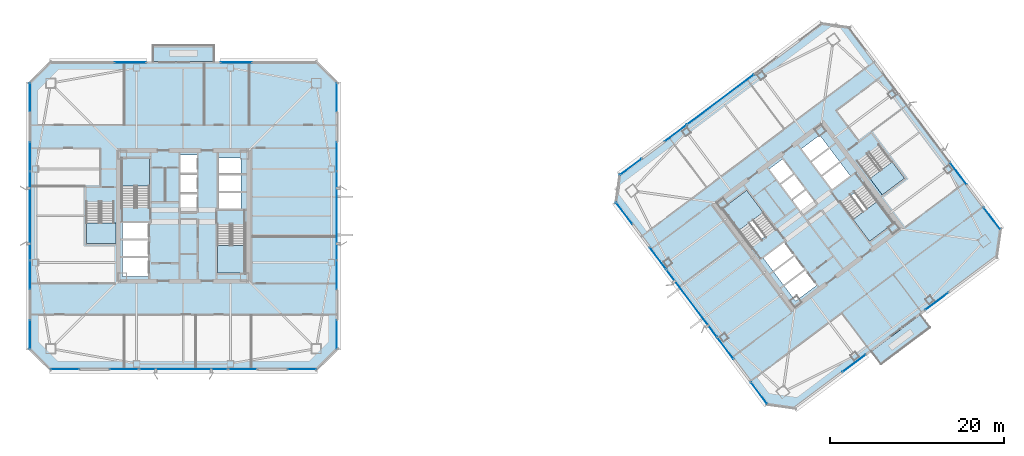
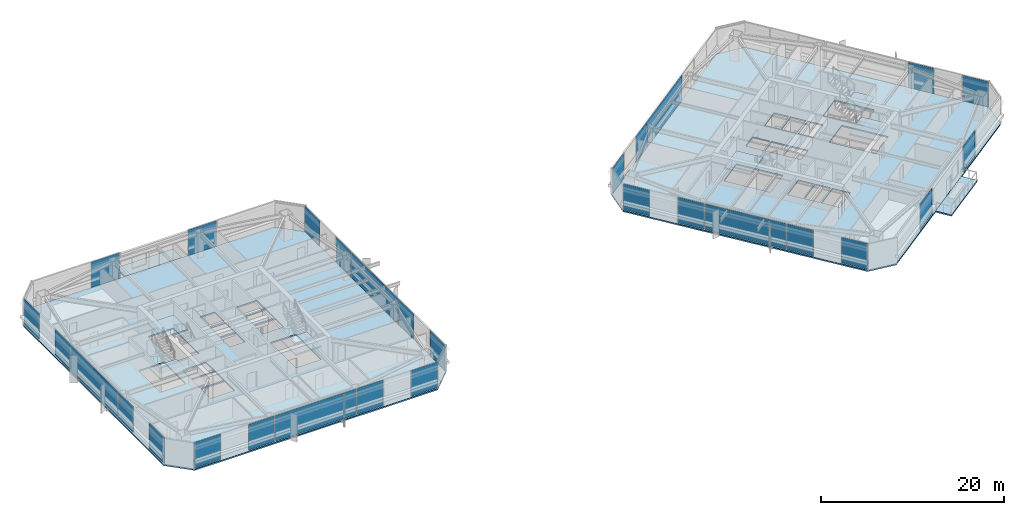
# One storey, part 34 of 46: 29 plates, 10 slabs, 35 elements without a shape of their own.
"""IFC4 building model written with IfcOpenShell, lengths in metres."""

from ifc_helpers import new_model, si_unit, direction, frame, origin, origin_2d, place, context, subcontext, project, spatial, polyline, rectangle, outline, extrude, material, layer, layer_set, type_object, element, aggregate, save


model = new_model("IFC4")

# Units and contexts
model_context = context("Model", 3, precision=1e-05, world=origin(), true_north=direction((0.0, 1.0)))
body_context = subcontext(model_context, "Body", "Model", "MODEL_VIEW")
ifc_project = project(units=[si_unit("LENGTHUNIT", "METRE"), si_unit("AREAUNIT", "SQUARE_METRE"), si_unit("VOLUMEUNIT", "CUBIC_METRE"), si_unit("PLANEANGLEUNIT", "RADIAN"), si_unit("MASSUNIT", "GRAM", prefix="KILO")], contexts=[model_context])

# Site, building, storey
site_placement = place(None, origin())
site = spatial("IfcSite", under=ifc_project, at=site_placement, CompositionType="ELEMENT")
building_placement = place(site_placement, origin())
building = spatial("IfcBuilding", under=site, at=building_placement, Name="Tashvorn Skyway Center", CompositionType="ELEMENT")
storey_placement = place(building_placement, frame((0.0, 0.0, 167.64990234375)))
storey = spatial("IfcBuildingStorey", under=building, at=storey_placement, Name="L45", CompositionType="ELEMENT", Elevation=167.64990234375)

# Curtain wall, plate
ifc_material_1 = material(Name="Thermally broken bronze-anodized aluminium 6063-T6", Category="aluminium")
curtain_wall_type = type_object("IfcCurtainWallType", Name="CW-CW-Z4", PredefinedType="NOTDEFINED", material=ifc_material_1)
curtain_wall_1_placement = place(storey_placement, origin())
curtain_wall_1 = element("IfcCurtainWall", 1, at=curtain_wall_1_placement, inside=storey, type_object=curtain_wall_type, Name="Tower 1 L45 South Unitised Curtain Wall Glazing Group 1", PredefinedType="NOTDEFINED")
ifc_material_2 = material(Name="Low-E solar-control double insulating safety glass", Category="glass")
ifc_layer_1 = layer(ifc_material_2, 0.035888671875)
ifc_layer_set_1 = layer_set([ifc_layer_1], Name="Low-E solar-control double insulating safety glass")
plate_type = type_object("IfcPlateType", Name="CWP-CW-Z4", PredefinedType="CURTAIN_PANEL", material=ifc_layer_set_1)
plate_1_placement = place(storey_placement, frame((55.671142578125, 14.320068359375, 0.0703125), z_axis=(0.0, 0.0, 1.0), x_axis=(-1.0, 0.0, 0.0)))
plate_1 = element("IfcPlate", 2, at=plate_1_placement, type_object=plate_type, Name="CW-Z4 panel 1.1", PredefinedType="CURTAIN_PANEL", context=body_context, shape_type="SweptSolid", body=[
    extrude(rectangle(XDim=3.27783203125, YDim=0.035888671875, at=origin_2d()), origin(), (0.0, 0.0, 1.0), 3.409912109375),
])
aggregate(curtain_wall_1, [plate_1])

curtain_wall_2_placement = place(storey_placement, origin())
curtain_wall_2 = element("IfcCurtainWall", 3, at=curtain_wall_2_placement, inside=storey, type_object=curtain_wall_type, Name="Tower 1 L45 South Unitised Curtain Wall Glazing Group 2", PredefinedType="NOTDEFINED")
plate_2_placement = place(storey_placement, frame((48.83544921875, 14.320068359375, 0.0703125), z_axis=(0.0, 0.0, 1.0), x_axis=(-1.0, 0.0, 0.0)))
plate_2 = element("IfcPlate", 4, at=plate_2_placement, type_object=plate_type, Name="CW-Z4 panel 1.1", PredefinedType="CURTAIN_PANEL", context=body_context, shape_type="SweptSolid", body=[
    extrude(rectangle(XDim=3.277587890625, YDim=0.035888671875, at=origin_2d()), origin(), (0.0, 0.0, 1.0), 3.409912109375),
])
aggregate(curtain_wall_2, [plate_2])

curtain_wall_3_placement = place(storey_placement, origin())
curtain_wall_3 = element("IfcCurtainWall", 5, at=curtain_wall_3_placement, inside=storey, type_object=curtain_wall_type, Name="Tower 1 L45 South Unitised Curtain Wall Glazing Group 3", PredefinedType="NOTDEFINED")
plate_3_placement = place(storey_placement, frame((42.0, 14.320068359375, 0.0703125), z_axis=(0.0, 0.0, 1.0), x_axis=(-1.0, 0.0, 0.0)))
plate_3 = element("IfcPlate", 6, at=plate_3_placement, type_object=plate_type, Name="CW-Z4 panel 1.1", PredefinedType="CURTAIN_PANEL", context=body_context, shape_type="SweptSolid", body=[
    extrude(rectangle(XDim=10.11328125, YDim=0.035888671875, at=origin_2d()), origin(), (0.0, 0.0, 1.0), 3.409912109375),
])
aggregate(curtain_wall_3, [plate_3])

curtain_wall_4_placement = place(storey_placement, origin())
curtain_wall_4 = element("IfcCurtainWall", 7, at=curtain_wall_4_placement, inside=storey, type_object=curtain_wall_type, Name="Tower 1 L45 South Unitised Curtain Wall Glazing Group 4", PredefinedType="NOTDEFINED")
plate_4_placement = place(storey_placement, frame((35.16455078125, 14.320068359375, 0.0703125), z_axis=(0.0, 0.0, 1.0), x_axis=(-1.0, 0.0, 0.0)))
plate_4 = element("IfcPlate", 8, at=plate_4_placement, type_object=plate_type, Name="CW-Z4 panel 1.1", PredefinedType="CURTAIN_PANEL", context=body_context, shape_type="SweptSolid", body=[
    extrude(rectangle(XDim=3.277587890625, YDim=0.035888671875, at=origin_2d()), origin(), (0.0, 0.0, 1.0), 3.409912109375),
])
aggregate(curtain_wall_4, [plate_4])

curtain_wall_5_placement = place(storey_placement, origin())
curtain_wall_5 = element("IfcCurtainWall", 9, at=curtain_wall_5_placement, inside=storey, type_object=curtain_wall_type, Name="Tower 1 L45 South Unitised Curtain Wall Glazing Group 5", PredefinedType="NOTDEFINED")
plate_5_placement = place(storey_placement, frame((28.328857421875, 14.320068359375, 0.0703125), z_axis=(0.0, 0.0, 1.0), x_axis=(-1.0, 0.0, 0.0)))
plate_5 = element("IfcPlate", 10, at=plate_5_placement, type_object=plate_type, Name="CW-Z4 panel 1.1", PredefinedType="CURTAIN_PANEL", context=body_context, shape_type="SweptSolid", body=[
    extrude(rectangle(XDim=3.27783203125, YDim=0.035888671875, at=origin_2d()), origin(), (0.0, 0.0, 1.0), 3.409912109375),
])
aggregate(curtain_wall_5, [plate_5])

curtain_wall_6_placement = place(storey_placement, origin())
curtain_wall_6 = element("IfcCurtainWall", 11, at=curtain_wall_6_placement, inside=storey, type_object=curtain_wall_type, Name="Tower 1 L45 West Unitised Curtain Wall Glazing Group 1", PredefinedType="NOTDEFINED")
plate_6_placement = place(storey_placement, frame((24.320068359375, 18.328857421875, 0.0703125), z_axis=(0.0, 0.0, 1.0), x_axis=(0.0, 1.0, 0.0)))
plate_6 = element("IfcPlate", 12, at=plate_6_placement, type_object=plate_type, Name="CW-Z4 panel 1.1", PredefinedType="CURTAIN_PANEL", context=body_context, shape_type="SweptSolid", body=[
    extrude(rectangle(XDim=3.27783203125, YDim=0.035888671875, at=origin_2d()), origin(), (0.0, 0.0, 1.0), 3.409912109375),
])
aggregate(curtain_wall_6, [plate_6])

curtain_wall_7_placement = place(storey_placement, origin())
curtain_wall_7 = element("IfcCurtainWall", 13, at=curtain_wall_7_placement, inside=storey, type_object=curtain_wall_type, Name="Tower 1 L45 West Unitised Curtain Wall Glazing Group 2", PredefinedType="NOTDEFINED")
plate_7_placement = place(storey_placement, frame((24.320068359375, 25.16455078125, 0.0703125), z_axis=(0.0, 0.0, 1.0), x_axis=(0.0, 1.0, 0.0)))
plate_7 = element("IfcPlate", 14, at=plate_7_placement, type_object=plate_type, Name="CW-Z4 panel 1.1", PredefinedType="CURTAIN_PANEL", context=body_context, shape_type="SweptSolid", body=[
    extrude(rectangle(XDim=3.277587890625, YDim=0.035888671875, at=origin_2d()), origin(), (0.0, 0.0, 1.0), 3.409912109375),
])
aggregate(curtain_wall_7, [plate_7])

curtain_wall_8_placement = place(storey_placement, origin())
curtain_wall_8 = element("IfcCurtainWall", 15, at=curtain_wall_8_placement, inside=storey, type_object=curtain_wall_type, Name="Tower 1 L45 West Unitised Curtain Wall Glazing Group 3", PredefinedType="NOTDEFINED")
plate_8_placement = place(storey_placement, frame((24.320068359375, 32.0, 0.0703125), z_axis=(0.0, 0.0, 1.0), x_axis=(0.0, 1.0, 0.0)))
plate_8 = element("IfcPlate", 16, at=plate_8_placement, type_object=plate_type, Name="CW-Z4 panel 1.1", PredefinedType="CURTAIN_PANEL", context=body_context, shape_type="SweptSolid", body=[
    extrude(rectangle(XDim=10.11328125, YDim=0.035888671875, at=origin_2d()), origin(), (0.0, 0.0, 1.0), 3.409912109375),
])
aggregate(curtain_wall_8, [plate_8])

curtain_wall_9_placement = place(storey_placement, origin())
curtain_wall_9 = element("IfcCurtainWall", 17, at=curtain_wall_9_placement, inside=storey, type_object=curtain_wall_type, Name="Tower 1 L45 West Unitised Curtain Wall Glazing Group 4", PredefinedType="NOTDEFINED")
plate_9_placement = place(storey_placement, frame((24.320068359375, 38.83544921875, 0.0703125), z_axis=(0.0, 0.0, 1.0), x_axis=(0.0, 1.0, 0.0)))
plate_9 = element("IfcPlate", 18, at=plate_9_placement, type_object=plate_type, Name="CW-Z4 panel 1.1", PredefinedType="CURTAIN_PANEL", context=body_context, shape_type="SweptSolid", body=[
    extrude(rectangle(XDim=3.277587890625, YDim=0.035888671875, at=origin_2d()), origin(), (0.0, 0.0, 1.0), 3.409912109375),
])
aggregate(curtain_wall_9, [plate_9])

curtain_wall_10_placement = place(storey_placement, origin())
curtain_wall_10 = element("IfcCurtainWall", 19, at=curtain_wall_10_placement, inside=storey, type_object=curtain_wall_type, Name="Tower 1 L45 West Unitised Curtain Wall Glazing Group 5", PredefinedType="NOTDEFINED")
plate_10_placement = place(storey_placement, frame((24.320068359375, 45.671142578125, 0.0703125), z_axis=(0.0, 0.0, 1.0), x_axis=(0.0, 1.0, 0.0)))
plate_10 = element("IfcPlate", 20, at=plate_10_placement, type_object=plate_type, Name="CW-Z4 panel 1.1", PredefinedType="CURTAIN_PANEL", context=body_context, shape_type="SweptSolid", body=[
    extrude(rectangle(XDim=3.27783203125, YDim=0.035888671875, at=origin_2d()), origin(), (0.0, 0.0, 1.0), 3.409912109375),
])
aggregate(curtain_wall_10, [plate_10])

curtain_wall_11_placement = place(storey_placement, origin())
curtain_wall_11 = element("IfcCurtainWall", 21, at=curtain_wall_11_placement, inside=storey, type_object=curtain_wall_type, Name="Tower 1 L45 North Curtain Wall L Glazing Group 1", PredefinedType="NOTDEFINED")
plate_11_placement = place(storey_placement, frame((35.89501953125, 49.679931640625, 0.0703125), z_axis=(0.0, 0.0, 1.0), x_axis=(1.0, 0.0, 0.0)))
plate_11 = element("IfcPlate", 22, at=plate_11_placement, type_object=plate_type, Name="CW-Z4 panel 1.1", PredefinedType="CURTAIN_PANEL", context=body_context, shape_type="SweptSolid", body=[
    extrude(rectangle(XDim=3.570068359375, YDim=0.035888671875, at=origin_2d()), origin(), (0.0, 0.0, 1.0), 3.409912109375),
])
aggregate(curtain_wall_11, [plate_11])

curtain_wall_12_placement = place(storey_placement, origin())
curtain_wall_12 = element("IfcCurtainWall", 23, at=curtain_wall_12_placement, inside=storey, type_object=curtain_wall_type, Name="Tower 1 L45 North Curtain Wall R Glazing Group 1", PredefinedType="NOTDEFINED")
plate_12_placement = place(storey_placement, frame((48.10498046875, 49.679931640625, 0.0703125), z_axis=(0.0, 0.0, 1.0), x_axis=(1.0, 0.0, 0.0)))
plate_12 = element("IfcPlate", 24, at=plate_12_placement, type_object=plate_type, Name="CW-Z4 panel 1.1", PredefinedType="CURTAIN_PANEL", context=body_context, shape_type="SweptSolid", body=[
    extrude(rectangle(XDim=3.570068359375, YDim=0.035888671875, at=origin_2d()), origin(), (0.0, 0.0, 1.0), 3.409912109375),
])
aggregate(curtain_wall_12, [plate_12])

curtain_wall_13_placement = place(storey_placement, origin())
curtain_wall_13 = element("IfcCurtainWall", 25, at=curtain_wall_13_placement, inside=storey, type_object=curtain_wall_type, Name="Tower 1 L45 East Unitised Curtain Wall Glazing Group 1", PredefinedType="NOTDEFINED")
plate_13_placement = place(storey_placement, frame((59.679931640625, 45.671142578125, 0.0703125), z_axis=(0.0, 0.0, 1.0), x_axis=(0.0, -1.0, 0.0)))
plate_13 = element("IfcPlate", 26, at=plate_13_placement, type_object=plate_type, Name="CW-Z4 panel 1.1", PredefinedType="CURTAIN_PANEL", context=body_context, shape_type="SweptSolid", body=[
    extrude(rectangle(XDim=3.27783203125, YDim=0.035888671875, at=origin_2d()), origin(), (0.0, 0.0, 1.0), 3.409912109375),
])
aggregate(curtain_wall_13, [plate_13])

curtain_wall_14_placement = place(storey_placement, origin())
curtain_wall_14 = element("IfcCurtainWall", 27, at=curtain_wall_14_placement, inside=storey, type_object=curtain_wall_type, Name="Tower 1 L45 East Unitised Curtain Wall Glazing Group 2", PredefinedType="NOTDEFINED")
plate_14_placement = place(storey_placement, frame((59.679931640625, 38.83544921875, 0.0703125), z_axis=(0.0, 0.0, 1.0), x_axis=(0.0, -1.0, 0.0)))
plate_14 = element("IfcPlate", 28, at=plate_14_placement, type_object=plate_type, Name="CW-Z4 panel 1.1", PredefinedType="CURTAIN_PANEL", context=body_context, shape_type="SweptSolid", body=[
    extrude(rectangle(XDim=3.277587890625, YDim=0.035888671875, at=origin_2d()), origin(), (0.0, 0.0, 1.0), 3.409912109375),
])
aggregate(curtain_wall_14, [plate_14])

curtain_wall_15_placement = place(storey_placement, origin())
curtain_wall_15 = element("IfcCurtainWall", 29, at=curtain_wall_15_placement, inside=storey, type_object=curtain_wall_type, Name="Tower 1 L45 East Unitised Curtain Wall Glazing Group 3", PredefinedType="NOTDEFINED")
plate_15_placement = place(storey_placement, frame((59.679931640625, 32.0, 0.0703125), z_axis=(0.0, 0.0, 1.0), x_axis=(0.0, -1.0, 0.0)))
plate_15 = element("IfcPlate", 30, at=plate_15_placement, type_object=plate_type, Name="CW-Z4 panel 1.1", PredefinedType="CURTAIN_PANEL", context=body_context, shape_type="SweptSolid", body=[
    extrude(rectangle(XDim=10.11328125, YDim=0.035888671875, at=origin_2d()), origin(), (0.0, 0.0, 1.0), 3.409912109375),
])
aggregate(curtain_wall_15, [plate_15])

curtain_wall_16_placement = place(storey_placement, origin())
curtain_wall_16 = element("IfcCurtainWall", 31, at=curtain_wall_16_placement, inside=storey, type_object=curtain_wall_type, Name="Tower 1 L45 East Unitised Curtain Wall Glazing Group 4", PredefinedType="NOTDEFINED")
plate_16_placement = place(storey_placement, frame((59.679931640625, 25.16455078125, 0.0703125), z_axis=(0.0, 0.0, 1.0), x_axis=(0.0, -1.0, 0.0)))
plate_16 = element("IfcPlate", 32, at=plate_16_placement, type_object=plate_type, Name="CW-Z4 panel 1.1", PredefinedType="CURTAIN_PANEL", context=body_context, shape_type="SweptSolid", body=[
    extrude(rectangle(XDim=3.277587890625, YDim=0.035888671875, at=origin_2d()), origin(), (0.0, 0.0, 1.0), 3.409912109375),
])
aggregate(curtain_wall_16, [plate_16])

curtain_wall_17_placement = place(storey_placement, origin())
curtain_wall_17 = element("IfcCurtainWall", 33, at=curtain_wall_17_placement, inside=storey, type_object=curtain_wall_type, Name="Tower 1 L45 East Unitised Curtain Wall Glazing Group 5", PredefinedType="NOTDEFINED")
plate_17_placement = place(storey_placement, frame((59.679931640625, 18.328857421875, 0.0703125), z_axis=(0.0, 0.0, 1.0), x_axis=(0.0, -1.0, 0.0)))
plate_17 = element("IfcPlate", 34, at=plate_17_placement, type_object=plate_type, Name="CW-Z4 panel 1.1", PredefinedType="CURTAIN_PANEL", context=body_context, shape_type="SweptSolid", body=[
    extrude(rectangle(XDim=3.27783203125, YDim=0.035888671875, at=origin_2d()), origin(), (0.0, 0.0, 1.0), 3.409912109375),
])
aggregate(curtain_wall_17, [plate_17])

curtain_wall_18_placement = place(storey_placement, origin())
curtain_wall_18 = element("IfcCurtainWall", 35, at=curtain_wall_18_placement, inside=storey, type_object=curtain_wall_type, Name="Tower 2 L45 South Curtain Wall L Glazing Group 1", PredefinedType="NOTDEFINED")
plate_18_placement = place(storey_placement, frame((128.845458984375, 22.158935546875, 0.0703125), z_axis=(0.0, 0.0, 1.0), x_axis=(-0.800003484954, -0.599995353367, 0.0)))
plate_18 = element("IfcPlate", 36, at=plate_18_placement, type_object=plate_type, Name="CW-Z4 panel 1.1", PredefinedType="CURTAIN_PANEL", context=body_context, shape_type="SweptSolid", body=[
    extrude(rectangle(XDim=3.303466796875, YDim=0.035888671875, at=origin_2d()), origin(), (0.0, 0.0, 1.0), 3.409912109375),
])
aggregate(curtain_wall_18, [plate_18])

curtain_wall_19_placement = place(storey_placement, origin())
curtain_wall_19 = element("IfcCurtainWall", 37, at=curtain_wall_19_placement, inside=storey, type_object=curtain_wall_type, Name="Tower 2 L45 South Curtain Wall R Glazing Group 1", PredefinedType="NOTDEFINED")
plate_19_placement = place(storey_placement, frame((119.290771484375, 14.992919921875, 0.0703125), z_axis=(0.0, 0.0, 1.0), x_axis=(-0.800003484954, -0.599995353367, 0.0)))
plate_19 = element("IfcPlate", 38, at=plate_19_placement, type_object=plate_type, Name="CW-Z4 panel 1.1", PredefinedType="CURTAIN_PANEL", context=body_context, shape_type="SweptSolid", body=[
    extrude(rectangle(XDim=3.303466796875, YDim=0.035888671875, at=origin_2d()), origin(), (0.0, 0.0, 1.0), 3.409912109375),
])
aggregate(curtain_wall_19, [plate_19])

curtain_wall_20_placement = place(storey_placement, origin())
curtain_wall_20 = element("IfcCurtainWall", 39, at=curtain_wall_20_placement, inside=storey, type_object=curtain_wall_type, Name="Tower 2 L45 West Unitised Curtain Wall Glazing Group 1", PredefinedType="NOTDEFINED")
plate_20_placement = place(storey_placement, frame((108.35205078125, 11.56396484375, 0.0703125), z_axis=(0.0, 0.0, 1.0), x_axis=(-0.600000000002, 0.799999999998, 0.0)))
plate_20 = element("IfcPlate", 40, at=plate_20_placement, type_object=plate_type, Name="CW-Z4 panel 1.1", PredefinedType="CURTAIN_PANEL", context=body_context, shape_type="SweptSolid", body=[
    extrude(rectangle(XDim=3.10009765625, YDim=0.035888671875, at=origin_2d()), origin(), (0.0, 0.0, 1.0), 3.409912109375),
])
aggregate(curtain_wall_20, [plate_20])

curtain_wall_21_placement = place(storey_placement, origin())
curtain_wall_21 = element("IfcCurtainWall", 41, at=curtain_wall_21_placement, inside=storey, type_object=curtain_wall_type, Name="Tower 2 L45 West Unitised Curtain Wall Glazing Group 2", PredefinedType="NOTDEFINED")
plate_21_placement = place(storey_placement, frame((104.464111328125, 16.748046875, 0.0703125), z_axis=(0.0, 0.0, 1.0), x_axis=(-0.600000000002, 0.799999999998, 0.0)))
plate_21 = element("IfcPlate", 42, at=plate_21_placement, type_object=plate_type, Name="CW-Z4 panel 1.1", PredefinedType="CURTAIN_PANEL", context=body_context, shape_type="SweptSolid", body=[
    extrude(rectangle(XDim=3.10009765625, YDim=0.035888671875, at=origin_2d()), origin(), (0.0, 0.0, 1.0), 3.409912109375),
])
aggregate(curtain_wall_21, [plate_21])

curtain_wall_22_placement = place(storey_placement, origin())
curtain_wall_22 = element("IfcCurtainWall", 43, at=curtain_wall_22_placement, inside=storey, type_object=curtain_wall_type, Name="Tower 2 L45 West Unitised Curtain Wall Glazing Group 3", PredefinedType="NOTDEFINED")
plate_22_placement = place(storey_placement, frame((100.575927734375, 21.931884765625, 0.0703125), z_axis=(0.0, 0.0, 1.0), x_axis=(-0.600000000002, 0.799999999998, 0.0)))
plate_22 = element("IfcPlate", 44, at=plate_22_placement, type_object=plate_type, Name="CW-Z4 panel 1.1", PredefinedType="CURTAIN_PANEL", context=body_context, shape_type="SweptSolid", body=[
    extrude(rectangle(XDim=9.580078125, YDim=0.035888671875, at=origin_2d()), origin(), (0.0, 0.0, 1.0), 3.409912109375),
])
aggregate(curtain_wall_22, [plate_22])

curtain_wall_23_placement = place(storey_placement, origin())
curtain_wall_23 = element("IfcCurtainWall", 45, at=curtain_wall_23_placement, inside=storey, type_object=curtain_wall_type, Name="Tower 2 L45 West Unitised Curtain Wall Glazing Group 4", PredefinedType="NOTDEFINED")
plate_23_placement = place(storey_placement, frame((96.68798828125, 27.115966796875, 0.0703125), z_axis=(0.0, 0.0, 1.0), x_axis=(-0.600000000002, 0.799999999998, 0.0)))
plate_23 = element("IfcPlate", 46, at=plate_23_placement, type_object=plate_type, Name="CW-Z4 panel 1.1", PredefinedType="CURTAIN_PANEL", context=body_context, shape_type="SweptSolid", body=[
    extrude(rectangle(XDim=3.10009765625, YDim=0.035888671875, at=origin_2d()), origin(), (0.0, 0.0, 1.0), 3.409912109375),
])
aggregate(curtain_wall_23, [plate_23])

curtain_wall_24_placement = place(storey_placement, origin())
curtain_wall_24 = element("IfcCurtainWall", 47, at=curtain_wall_24_placement, inside=storey, type_object=curtain_wall_type, Name="Tower 2 L45 West Unitised Curtain Wall Glazing Group 5", PredefinedType="NOTDEFINED")
plate_24_placement = place(storey_placement, frame((92.800048828125, 32.300048828125, 0.0703125), z_axis=(0.0, 0.0, 1.0), x_axis=(-0.600000000002, 0.799999999998, 0.0)))
plate_24 = element("IfcPlate", 48, at=plate_24_placement, type_object=plate_type, Name="CW-Z4 panel 1.1", PredefinedType="CURTAIN_PANEL", context=body_context, shape_type="SweptSolid", body=[
    extrude(rectangle(XDim=3.10009765625, YDim=0.035888671875, at=origin_2d()), origin(), (0.0, 0.0, 1.0), 3.409912109375),
])
aggregate(curtain_wall_24, [plate_24])

curtain_wall_25_placement = place(storey_placement, origin())
curtain_wall_25 = element("IfcCurtainWall", 49, at=curtain_wall_25_placement, inside=storey, type_object=curtain_wall_type, Name="Tower 2 L45 North Unitised Curtain Wall Glazing Group 1", PredefinedType="NOTDEFINED")
plate_25_placement = place(storey_placement, frame((93.56396484375, 37.64794921875, 0.0703125), z_axis=(0.0, 0.0, 1.0), x_axis=(0.799999999998, 0.600000000002, 0.0)))
plate_25 = element("IfcPlate", 50, at=plate_25_placement, type_object=plate_type, Name="CW-Z4 panel 1.1", PredefinedType="CURTAIN_PANEL", context=body_context, shape_type="SweptSolid", body=[
    extrude(rectangle(XDim=3.10009765625, YDim=0.035888671875, at=origin_2d()), origin(), (0.0, 0.0, 1.0), 3.409912109375),
])
aggregate(curtain_wall_25, [plate_25])

curtain_wall_26_placement = place(storey_placement, origin())
curtain_wall_26 = element("IfcCurtainWall", 51, at=curtain_wall_26_placement, inside=storey, type_object=curtain_wall_type, Name="Tower 2 L45 North Unitised Curtain Wall Glazing Group 2", PredefinedType="NOTDEFINED")
plate_26_placement = place(storey_placement, frame((98.748046875, 41.535888671875, 0.0703125), z_axis=(0.0, 0.0, 1.0), x_axis=(0.799999999998, 0.600000000002, 0.0)))
plate_26 = element("IfcPlate", 52, at=plate_26_placement, type_object=plate_type, Name="CW-Z4 panel 1.1", PredefinedType="CURTAIN_PANEL", context=body_context, shape_type="SweptSolid", body=[
    extrude(rectangle(XDim=3.10009765625, YDim=0.035888671875, at=origin_2d()), origin(), (0.0, 0.0, 1.0), 3.409912109375),
])
aggregate(curtain_wall_26, [plate_26])

curtain_wall_27_placement = place(storey_placement, origin())
curtain_wall_27 = element("IfcCurtainWall", 53, at=curtain_wall_27_placement, inside=storey, type_object=curtain_wall_type, Name="Tower 2 L45 North Unitised Curtain Wall Glazing Group 3", PredefinedType="NOTDEFINED")
plate_27_placement = place(storey_placement, frame((103.931884765625, 45.424072265625, 0.0703125), z_axis=(0.0, 0.0, 1.0), x_axis=(0.799999999998, 0.600000000002, 0.0)))
plate_27 = element("IfcPlate", 54, at=plate_27_placement, type_object=plate_type, Name="CW-Z4 panel 1.1", PredefinedType="CURTAIN_PANEL", context=body_context, shape_type="SweptSolid", body=[
    extrude(rectangle(XDim=9.580078125, YDim=0.035888671875, at=origin_2d()), origin(), (0.0, 0.0, 1.0), 3.409912109375),
])
aggregate(curtain_wall_27, [plate_27])

curtain_wall_28_placement = place(storey_placement, origin())
curtain_wall_28 = element("IfcCurtainWall", 55, at=curtain_wall_28_placement, inside=storey, type_object=curtain_wall_type, Name="Tower 2 L45 East Unitised Curtain Wall Glazing Group 4", PredefinedType="NOTDEFINED")
plate_28_placement = place(storey_placement, frame((131.31201171875, 36.884033203125, 0.0703125), z_axis=(0.0, 0.0, 1.0), x_axis=(0.600000000002, -0.799999999998, 0.0)))
plate_28 = element("IfcPlate", 56, at=plate_28_placement, type_object=plate_type, Name="CW-Z4 panel 1.1", PredefinedType="CURTAIN_PANEL", context=body_context, shape_type="SweptSolid", body=[
    extrude(rectangle(XDim=3.10009765625, YDim=0.035888671875, at=origin_2d()), origin(), (0.0, 0.0, 1.0), 3.409912109375),
])
aggregate(curtain_wall_28, [plate_28])

curtain_wall_29_placement = place(storey_placement, origin())
curtain_wall_29 = element("IfcCurtainWall", 57, at=curtain_wall_29_placement, inside=storey, type_object=curtain_wall_type, Name="Tower 2 L45 East Unitised Curtain Wall Glazing Group 5", PredefinedType="NOTDEFINED")
plate_29_placement = place(storey_placement, frame((135.199951171875, 31.699951171875, 0.0703125), z_axis=(0.0, 0.0, 1.0), x_axis=(0.600000000002, -0.799999999998, 0.0)))
plate_29 = element("IfcPlate", 58, at=plate_29_placement, type_object=plate_type, Name="CW-Z4 panel 1.1", PredefinedType="CURTAIN_PANEL", context=body_context, shape_type="SweptSolid", body=[
    extrude(rectangle(XDim=3.10009765625, YDim=0.035888671875, at=origin_2d()), origin(), (0.0, 0.0, 1.0), 3.409912109375),
])
aggregate(curtain_wall_29, [plate_29])

# Slabs
ifc_material_3 = material(Name="Concrete C40/50", Category="concrete")
ifc_layer_2 = layer(ifc_material_3, 0.179931640625)
ifc_layer_set_2 = layer_set([ifc_layer_2], Name="Concrete C40/50")
slab_type_1 = type_object("IfcSlabType", Name="SLAB-FLR-180", PredefinedType="FLOOR", material=ifc_layer_set_2)
slab_1_placement = place(storey_placement, frame((0.0, 0.0, -0.179931640625)))
element("IfcSlab", 59, at=slab_1_placement, inside=storey, type_object=slab_type_1, Name="Tower 1 L45 Composite Floor Slab", PredefinedType="FLOOR", context=body_context, shape_type="SweptSolid", body=[
    extrude(outline(polyline([(26.699951171875, 14.199951171875), (57.300048828125, 14.199951171875), (59.800048828125, 16.699951171875), (59.800048828125, 47.300048828125), (57.300048828125, 49.800048828125), (26.699951171875, 49.800048828125), (24.199951171875, 47.300048828125), (24.199951171875, 16.699951171875), (26.699951171875, 14.199951171875)]), holes=[polyline([(38.10009765625, 33.080078125), (38.10009765625, 38.60009765625), (34.89990234375, 38.60009765625), (34.89990234375, 33.080078125), (38.10009765625, 33.080078125)]), polyline([(45.89990234375, 30.919921875), (45.89990234375, 25.39990234375), (49.10009765625, 25.39990234375), (49.10009765625, 30.919921875), (45.89990234375, 30.919921875)]), polyline([(30.800048828125, 33.52001953125), (30.800048828125, 28.800048828125), (34.0, 28.800048828125), (34.0, 33.52001953125), (30.800048828125, 33.52001953125)]), polyline([(34.949951171875, 29.35009765625), (37.949951171875, 29.35009765625), (37.949951171875, 31.199951171875), (34.949951171875, 31.199951171875), (34.949951171875, 29.35009765625)]), polyline([(34.949951171875, 27.35009765625), (37.949951171875, 27.35009765625), (37.949951171875, 29.199951171875), (34.949951171875, 29.199951171875), (34.949951171875, 27.35009765625)]), polyline([(34.949951171875, 25.0), (37.949951171875, 25.0), (37.949951171875, 27.14990234375), (34.949951171875, 27.14990234375), (34.949951171875, 25.0)]), polyline([(41.64990234375, 32.449951171875), (43.550048828125, 32.449951171875), (43.550048828125, 34.5), (41.64990234375, 34.5), (41.64990234375, 32.449951171875)]), polyline([(41.64990234375, 34.699951171875), (43.550048828125, 34.699951171875), (43.550048828125, 36.75), (41.64990234375, 36.75), (41.64990234375, 34.699951171875)]), polyline([(41.64990234375, 36.949951171875), (43.550048828125, 36.949951171875), (43.550048828125, 39.0), (41.64990234375, 39.0), (41.64990234375, 36.949951171875)]), polyline([(46.050048828125, 32.800048828125), (48.64990234375, 32.800048828125), (48.64990234375, 34.64990234375), (46.050048828125, 34.64990234375), (46.050048828125, 32.800048828125)]), polyline([(46.050048828125, 34.85009765625), (48.64990234375, 34.85009765625), (48.64990234375, 36.699951171875), (46.050048828125, 36.699951171875), (46.050048828125, 34.85009765625)]), polyline([(46.050048828125, 36.89990234375), (48.64990234375, 36.89990234375), (48.64990234375, 38.64990234375), (46.050048828125, 38.64990234375), (46.050048828125, 36.89990234375)])]), origin(), (0.0, 0.0, 1.0), 0.179931640625),
])
slab_2_placement = place(storey_placement, frame((0.0, 0.0, -0.179931640625)))
element("IfcSlab", 60, at=slab_2_placement, inside=storey, type_object=slab_type_1, Name="Tower 2 L45 Composite Floor Slab", PredefinedType="FLOOR", context=body_context, shape_type="SweptSolid", body=[
    extrude(outline(polyline([(112.5400390625, 9.780029296875), (135.739990234375, 27.179931640625), (136.219970703125, 30.5400390625), (118.820068359375, 53.739990234375), (115.4599609375, 54.219970703125), (92.260009765625, 36.820068359375), (91.780029296875, 33.4599609375), (109.179931640625, 10.260009765625), (112.5400390625, 9.780029296875)]), holes=[polyline([(110.23193359375, 30.52392578125), (106.919921875, 34.93994140625), (104.135986328125, 32.85205078125), (107.447998046875, 28.43603515625), (110.23193359375, 30.52392578125)]), polyline([(117.76806640625, 33.47607421875), (121.080078125, 29.06005859375), (123.864013671875, 31.14794921875), (120.552001953125, 35.56396484375), (117.76806640625, 33.47607421875)]), polyline([(119.7119140625, 38.18408203125), (122.5439453125, 34.407958984375), (125.10400390625, 36.327880859375), (122.27197265625, 40.10400390625), (119.7119140625, 38.18408203125)]), polyline([(109.949951171875, 25.64990234375), (112.35009765625, 27.449951171875), (111.239990234375, 28.929931640625), (108.840087890625, 27.1298828125), (109.949951171875, 25.64990234375)]), polyline([(111.14990234375, 24.050048828125), (113.550048828125, 25.85009765625), (112.43994140625, 27.330078125), (110.0400390625, 25.530029296875), (111.14990234375, 24.050048828125)]), polyline([(112.56005859375, 22.169921875), (114.9599609375, 23.969970703125), (113.669921875, 25.68994140625), (111.27001953125, 23.889892578125), (112.56005859375, 22.169921875)]), polyline([(113.449951171875, 32.14990234375), (114.969970703125, 33.2900390625), (113.739990234375, 34.929931640625), (112.219970703125, 33.7900390625), (113.449951171875, 32.14990234375)]), polyline([(112.10009765625, 33.949951171875), (113.6201171875, 35.090087890625), (112.389892578125, 36.72998046875), (110.8701171875, 35.590087890625), (112.10009765625, 33.949951171875)]), polyline([(110.75, 35.75), (112.27001953125, 36.889892578125), (111.0400390625, 38.530029296875), (109.52001953125, 37.389892578125), (110.75, 35.75)]), polyline([(116.760009765625, 35.070068359375), (118.840087890625, 36.6298828125), (117.72998046875, 38.110107421875), (115.64990234375, 36.550048828125), (116.760009765625, 35.070068359375)]), polyline([(115.530029296875, 36.7099609375), (117.610107421875, 38.27001953125), (116.5, 39.75), (114.419921875, 38.18994140625), (115.530029296875, 36.7099609375)]), polyline([(114.300048828125, 38.35009765625), (116.3798828125, 39.909912109375), (115.330078125, 41.31005859375), (113.25, 39.75), (114.300048828125, 38.35009765625)])]), origin(), (0.0, 0.0, 1.0), 0.179931640625),
])

# Stair, slab
stair_type = type_object("IfcStairType", Name="STAIR-CORE-1500", PredefinedType="HALF_TURN_STAIR", material=ifc_material_3)
stair_1_placement = place(storey_placement, origin())
stair_1 = element("IfcStair", 61, at=stair_1_placement, inside=storey, type_object=stair_type, Name="L45 Tower 1 Exit Stair 1", PredefinedType="HALF_TURN_STAIR")
ifc_layer_3 = layer(ifc_material_3, 0.199951171875)
ifc_layer_set_3 = layer_set([ifc_layer_3], Name="Concrete C40/50")
slab_type_2 = type_object("IfcSlabType", Name="SLAB-LAND-200", PredefinedType="LANDING", material=ifc_layer_set_3)
slab_3_placement = place(storey_placement, frame((0.0, 0.0, 1.5751953125)))
slab_3 = element("IfcSlab", 62, at=slab_3_placement, type_object=slab_type_2, Name="ST-T1-1 landing 1", PredefinedType="LANDING", context=body_context, shape_type="SweptSolid", body=[
    extrude(outline(polyline([(38.10009765625, 35.43994140625), (38.10009765625, 38.60009765625), (34.89990234375, 38.60009765625), (34.89990234375, 35.43994140625), (38.10009765625, 35.43994140625)])), origin(), (0.0, 0.0, 1.0), 0.199951171875),
])
aggregate(stair_1, [slab_3])

stair_2_placement = place(storey_placement, origin())
stair_2 = element("IfcStair", 63, at=stair_2_placement, inside=storey, type_object=stair_type, Name="L45 Tower 1 Exit Stair 2", PredefinedType="HALF_TURN_STAIR")
slab_4_placement = place(storey_placement, frame((0.0, 0.0, 1.5751953125)))
slab_4 = element("IfcSlab", 64, at=slab_4_placement, type_object=slab_type_2, Name="ST-T1-2 landing 1", PredefinedType="LANDING", context=body_context, shape_type="SweptSolid", body=[
    extrude(outline(polyline([(45.89990234375, 28.56005859375), (45.89990234375, 25.39990234375), (49.10009765625, 25.39990234375), (49.10009765625, 28.56005859375), (45.89990234375, 28.56005859375)])), origin(), (0.0, 0.0, 1.0), 0.199951171875),
])
aggregate(stair_2, [slab_4])

stair_3_placement = place(storey_placement, origin())
stair_3 = element("IfcStair", 65, at=stair_3_placement, inside=storey, type_object=stair_type, Name="L45 Tower 2 Exit Stair 1", PredefinedType="HALF_TURN_STAIR")
slab_5_placement = place(storey_placement, frame((0.0, 0.0, 1.5751953125)))
slab_5 = element("IfcSlab", 66, at=slab_5_placement, type_object=slab_type_2, Name="ST-T2-1 landing 1", PredefinedType="LANDING", context=body_context, shape_type="SweptSolid", body=[
    extrude(outline(polyline([(108.82080078125, 32.405517578125), (106.919921875, 34.93994140625), (104.135986328125, 32.85205078125), (106.036865234375, 30.317626953125), (108.82080078125, 32.405517578125)])), origin(), (0.0, 0.0, 1.0), 0.199951171875),
])
aggregate(stair_3, [slab_5])

stair_4_placement = place(storey_placement, origin())
stair_4 = element("IfcStair", 67, at=stair_4_placement, inside=storey, type_object=stair_type, Name="L45 Tower 2 Exit Stair 2", PredefinedType="HALF_TURN_STAIR")
slab_6_placement = place(storey_placement, frame((0.0, 0.0, 1.5751953125)))
slab_6 = element("IfcSlab", 68, at=slab_6_placement, type_object=slab_type_2, Name="ST-T2-2 landing 1", PredefinedType="LANDING", context=body_context, shape_type="SweptSolid", body=[
    extrude(outline(polyline([(119.17919921875, 31.594482421875), (121.080078125, 29.06005859375), (123.864013671875, 31.14794921875), (121.963134765625, 33.682373046875), (119.17919921875, 31.594482421875)])), origin(), (0.0, 0.0, 1.0), 0.199951171875),
])
aggregate(stair_4, [slab_6])

stair_5_placement = place(storey_placement, origin())
stair_5 = element("IfcStair", 69, at=stair_5_placement, inside=storey, type_object=stair_type, Name="L45 Tower 1 Exit Stair 3", PredefinedType="HALF_TURN_STAIR")
slab_7_placement = place(storey_placement, frame((0.0, 0.0, 1.5751953125)))
slab_7 = element("IfcSlab", 70, at=slab_7_placement, type_object=slab_type_2, Name="ST-T1-3 landing 1", PredefinedType="LANDING", context=body_context, shape_type="SweptSolid", body=[
    extrude(outline(polyline([(30.800048828125, 31.159912109375), (30.800048828125, 28.800048828125), (34.199951171875, 28.800048828125), (34.199951171875, 31.159912109375), (30.800048828125, 31.159912109375)])), origin(), (0.0, 0.0, 1.0), 0.199951171875),
])
aggregate(stair_5, [slab_7])

stair_6_placement = place(storey_placement, origin())
stair_6 = element("IfcStair", 71, at=stair_6_placement, inside=storey, type_object=stair_type, Name="L45 Tower 2 Exit Stair 3", PredefinedType="HALF_TURN_STAIR")
slab_8_placement = place(storey_placement, frame((0.0, 0.0, 1.5751953125)))
slab_8 = element("IfcSlab", 72, at=slab_8_placement, type_object=slab_type_2, Name="ST-T2-3 landing 1", PredefinedType="LANDING", context=body_context, shape_type="SweptSolid", body=[
    extrude(outline(polyline([(121.123291015625, 36.302490234375), (122.5439453125, 34.407958984375), (125.10400390625, 36.327880859375), (123.68310546875, 38.222412109375), (121.123291015625, 36.302490234375)])), origin(), (0.0, 0.0, 1.0), 0.199951171875),
])
aggregate(stair_6, [slab_8])

# Slabs
ifc_layer_4 = layer(ifc_material_3, 0.179931640625)
ifc_layer_set_4 = layer_set([ifc_layer_4], Name="Concrete C40/50")
slab_type_3 = type_object("IfcSlabType", Name="SLAB-TERR-200", PredefinedType="FLOOR", material=ifc_layer_set_4)
slab_9_placement = place(storey_placement, frame((0.0, 0.0, -0.179931640625)))
element("IfcSlab", 73, at=slab_9_placement, inside=storey, type_object=slab_type_3, Name="Tower 1 L45 Spiral Planted Terrace Slab", PredefinedType="FLOOR", context=body_context, shape_type="SweptSolid", body=[
    extrude(outline(polyline([(38.39990234375, 49.7900390625), (45.60009765625, 49.7900390625), (45.60009765625, 51.699951171875), (38.39990234375, 51.699951171875), (38.39990234375, 49.7900390625)])), origin(), (0.0, 0.0, 1.0), 0.179931640625),
])
slab_10_placement = place(storey_placement, frame((0.0, 0.0, -0.179931640625)))
element("IfcSlab", 74, at=slab_10_placement, inside=storey, type_object=slab_type_3, Name="Tower 2 L45 Spiral Planted Terrace Slab", PredefinedType="FLOOR", context=body_context, shape_type="SweptSolid", body=[
    extrude(outline(polyline([(122.39990234375, 14.800048828125), (128.159912109375, 19.1201171875), (127.013916015625, 20.64794921875), (121.25390625, 16.327880859375), (122.39990234375, 14.800048828125)])), origin(), (0.0, 0.0, 1.0), 0.179931640625),
])

save(model, "model.ifc")
